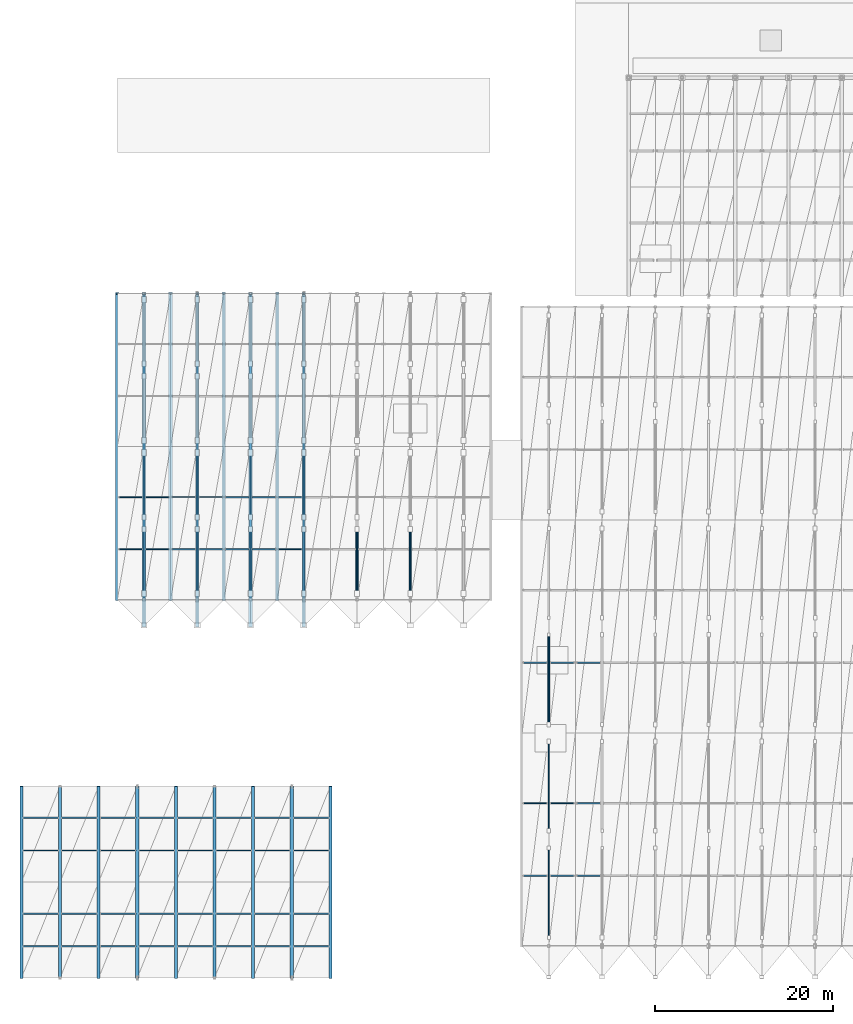
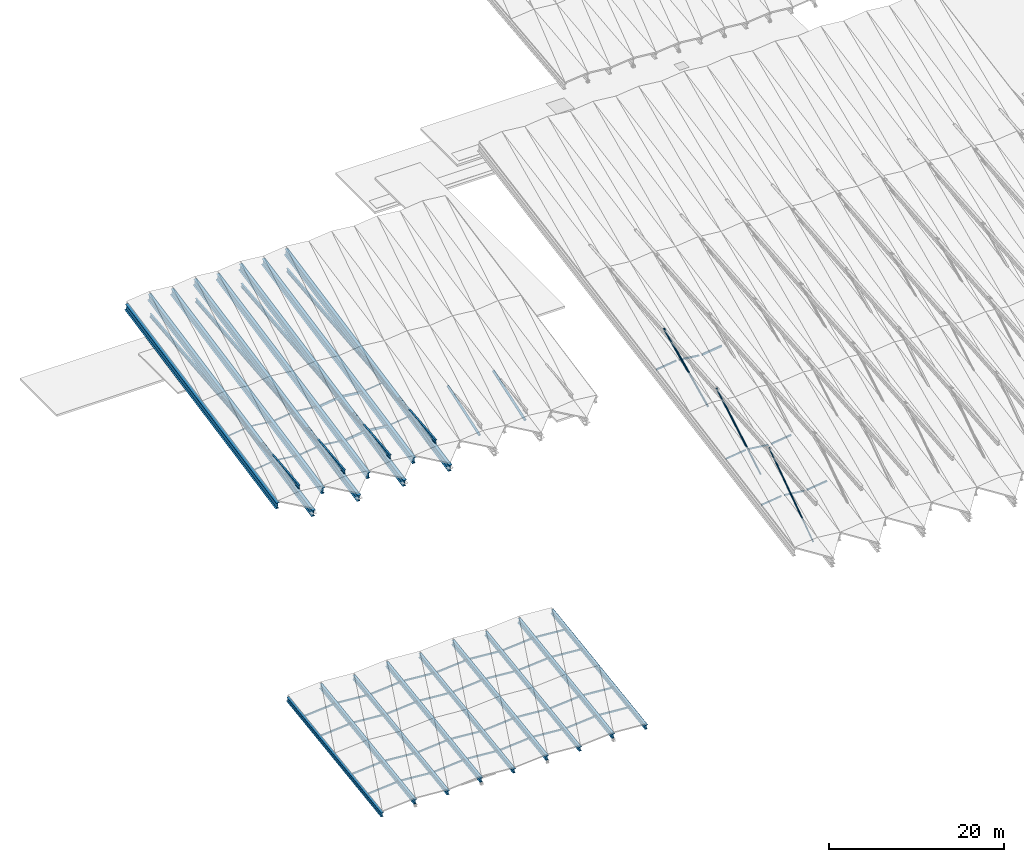
# One storey, part 3 of 52: 72 members, 17 beams.
"""IFC4 building model written with IfcOpenShell, lengths in metres."""

from ifc_helpers import new_model, si_unit, direction, frame, origin, origin_2d, place, context, subcontext, project, spatial, hollow_rectangle, hollow_circle, i_section, extrude, material, material_profile, profile_set, type_object, element, save


model = new_model("IFC4")

# Units and contexts
model_context = context("Model", 3, precision=1e-05, world=origin(), true_north=direction((0.0, 1.0)))
body_context = subcontext(model_context, "Body", "Model", "MODEL_VIEW")
ifc_project = project(units=[si_unit("LENGTHUNIT", "METRE"), si_unit("AREAUNIT", "SQUARE_METRE"), si_unit("VOLUMEUNIT", "CUBIC_METRE"), si_unit("PLANEANGLEUNIT", "RADIAN"), si_unit("MASSUNIT", "GRAM", prefix="KILO")], contexts=[model_context])

# Site, building, storey
site_placement = place(None, origin())
site = spatial("IfcSite", under=ifc_project, at=site_placement, CompositionType="ELEMENT")
building_placement = place(site_placement, origin())
building = spatial("IfcBuilding", under=site, at=building_placement, Name="Vaelkrest Opera House", CompositionType="ELEMENT")
storey_placement = place(building_placement, frame((0.0, 0.0, 41.39990234375)))
storey = spatial("IfcBuildingStorey", under=building, at=storey_placement, Name="ROOF", CompositionType="ELEMENT", Elevation=41.39990234375)

# Beams
ifc_material_1 = material(Name="Steel A992 Gr50", Category="steel")
ifc_material_profile_1 = material_profile(ifc_material_1, i_section(OverallWidth=0.327880859375, OverallDepth=0.6279296875, WebThickness=0.0166015625, FlangeThickness=0.027587890625, at=origin_2d()), Name="W24X146")
ifc_profile_set_1 = profile_set([ifc_material_profile_1], Name="Steel A992 Gr50")
beam_type_1 = type_object("IfcBeamType", Name="B09", PredefinedType="BEAM", material=ifc_profile_set_1)
for number, where, z_axis, x_axis, name in (
    (1, (-86.39990234375, -59.39990234375, -31.52587890625), (0.0, 0.989985492335, 0.141169136022), (-1.0, 0.0, 0.0), "Pleated roof valley rafter V5-00"),
    (2, (-77.699951171875, -59.39990234375, -31.52587890625), (0.0, 0.989985492335, 0.141169136022), (-1.0, 0.0, 0.0), "Pleated roof valley rafter V5-02"),
    (3, (-69.0, -59.39990234375, -31.52587890625), (0.0, 0.989985492335, 0.141169136022), (-1.0, 0.0, 0.0), "Pleated roof valley rafter V5-04"),
    (4, (-60.300048828125, -59.39990234375, -31.52587890625), (0.0, 0.989985492335, 0.141169136022), (-1.0, 0.0, 0.0), "Pleated roof valley rafter V5-06"),
    (5, (-51.60009765625, -59.39990234375, -31.52587890625), (0.0, 0.989985492335, 0.141169136022), (-1.0, 0.0, 0.0), "Pleated roof valley rafter V5-08"),
):
    element("IfcBeam", number, at=place(storey_placement, frame(where, z_axis=z_axis, x_axis=x_axis)), inside=storey, type_object=beam_type_1, Name=name, PredefinedType="BEAM", context=body_context, shape_type="SweptSolid", body=[
        extrude(i_section(OverallWidth=0.327880859375, OverallDepth=0.6279296875, WebThickness=0.0166015625, FlangeThickness=0.027587890625, at=origin_2d()), origin(), (0.0, 0.0, 1.0), 21.818359375),
    ])
ifc_material_profile_2 = material_profile(ifc_material_1, i_section(OverallWidth=0.35498046875, OverallDepth=0.695068359375, WebThickness=0.015380859375, FlangeThickness=0.02490234375, at=origin_2d()), Name="W27X146")
ifc_profile_set_2 = profile_set([ifc_material_profile_2], Name="Steel A992 Gr50")
beam_type_2 = type_object("IfcBeamType", Name="B10", PredefinedType="BEAM", material=ifc_profile_set_2)
for number, where, z_axis, x_axis, name in (
    (6, (-82.050048828125, -59.39990234375, -31.239990234375), (0.0, 0.989985492335, 0.141169136022), (-1.0, 0.0, 0.0), "Pleated roof ridge rafter V5-01"),
    (7, (-73.35009765625, -59.39990234375, -31.239990234375), (0.0, 0.989985492335, 0.141169136022), (-1.0, 0.0, 0.0), "Pleated roof ridge rafter V5-03"),
    (8, (-64.64990234375, -59.39990234375, -31.239990234375), (0.0, 0.989985492335, 0.141169136022), (-1.0, 0.0, 0.0), "Pleated roof ridge rafter V5-05"),
    (9, (-55.949951171875, -59.39990234375, -31.239990234375), (0.0, 0.989985492335, 0.141169136022), (-1.0, 0.0, 0.0), "Pleated roof ridge rafter V5-07"),
):
    element("IfcBeam", number, at=place(storey_placement, frame(where, z_axis=z_axis, x_axis=x_axis)), inside=storey, type_object=beam_type_2, Name=name, PredefinedType="BEAM", context=body_context, shape_type="SweptSolid", body=[
        extrude(i_section(OverallWidth=0.35498046875, OverallDepth=0.695068359375, WebThickness=0.015380859375, FlangeThickness=0.02490234375, at=origin_2d()), origin(), (0.0, 0.0, 1.0), 21.818359375),
    ])
ifc_material_profile_3 = material_profile(ifc_material_1, i_section(OverallWidth=0.41796875, OverallDepth=0.927001953125, WebThickness=0.019287109375, FlangeThickness=0.031982421875, at=origin_2d()), Name="W36X231")
ifc_profile_set_3 = profile_set([ifc_material_profile_3], Name="Steel A992 Gr50")
beam_type_3 = type_object("IfcBeamType", Name="B13", PredefinedType="BEAM", material=ifc_profile_set_3)
for number, where, z_axis, x_axis, name in (
    (10, (-75.60009765625, -16.800048828125, -18.114013671875), (0.0, 0.980710452507, 0.195466130936), (-1.0, 0.0, 0.0), "Pleated roof valley rafter V3-00"),
    (11, (-69.60009765625, -16.800048828125, -18.114013671875), (0.0, 0.980710452507, 0.195466130936), (-1.0, 0.0, 0.0), "Pleated roof valley rafter V3-02"),
    (12, (-63.60009765625, -16.800048828125, -18.114013671875), (0.0, 0.980710452507, 0.195466130936), (-1.0, 0.0, 0.0), "Pleated roof valley rafter V3-04"),
    (13, (-57.60009765625, -16.800048828125, -18.114013671875), (0.0, 0.980710452507, 0.195466130936), (-1.0, 0.0, 0.0), "Pleated roof valley rafter V3-06"),
):
    element("IfcBeam", number, at=place(storey_placement, frame(where, z_axis=z_axis, x_axis=x_axis)), inside=storey, type_object=beam_type_3, Name=name, PredefinedType="BEAM", context=body_context, shape_type="SweptSolid", body=[
        extrude(i_section(OverallWidth=0.41796875, OverallDepth=0.927001953125, WebThickness=0.019287109375, FlangeThickness=0.031982421875, at=origin_2d()), origin(), (0.0, 0.0, 1.0), 35.178466796875),
    ])
ifc_material_profile_4 = material_profile(ifc_material_1, i_section(OverallWidth=0.423095703125, OverallDepth=0.947998046875, WebThickness=0.02392578125, FlangeThickness=0.042724609375, at=origin_2d()), Name="W36X302")
ifc_profile_set_4 = profile_set([ifc_material_profile_4], Name="Steel A992 Gr50")
beam_type_4 = type_object("IfcBeamType", Name="B17", PredefinedType="BEAM", material=ifc_profile_set_4)
for number, where, z_axis, x_axis, name in (
    (14, (-72.60009765625, -19.800048828125, -18.39794921875), (0.0, 0.980710612152, 0.195465329951), (-1.0, 0.0, 0.0), "Pleated roof ridge rafter V3-01"),
    (15, (-66.60009765625, -19.800048828125, -18.39794921875), (0.0, 0.980710612152, 0.195465329951), (-1.0, 0.0, 0.0), "Pleated roof ridge rafter V3-03"),
    (16, (-60.60009765625, -19.800048828125, -18.39794921875), (0.0, 0.980710612152, 0.195465329951), (-1.0, 0.0, 0.0), "Pleated roof ridge rafter V3-05"),
    (17, (-54.60009765625, -19.800048828125, -18.39794921875), (0.0, 0.980710612152, 0.195465329951), (-1.0, 0.0, 0.0), "Pleated roof ridge rafter V3-07"),
):
    element("IfcBeam", number, at=place(storey_placement, frame(where, z_axis=z_axis, x_axis=x_axis)), inside=storey, type_object=beam_type_4, Name=name, PredefinedType="BEAM", context=body_context, shape_type="SweptSolid", body=[
        extrude(i_section(OverallWidth=0.423095703125, OverallDepth=0.947998046875, WebThickness=0.02392578125, FlangeThickness=0.042724609375, at=origin_2d()), origin(), (0.0, 0.0, 1.0), 38.237548828125),
    ])

# Members
ifc_material_2 = material(Name="Steel A500 GrC", Category="steel")
ifc_material_profile_5 = material_profile(ifc_material_2, hollow_circle(Radius=0.09521484375, WallThickness=0.009521484375, at=origin_2d()), Name="HSS190.5X9.5")
ifc_profile_set_5 = profile_set([ifc_material_profile_5], Name="Steel A500 GrC")
member_type_1 = type_object("IfcMemberType", Name="BR02", PredefinedType="BRACE", material=ifc_profile_set_5)
member_1_placement = place(storey_placement, frame((-27.0, -54.840087890625, -17.091796875), z_axis=(0.0, 0.820234906508, 0.572026833414), x_axis=(-1.0, 0.0, 0.0)))
element("IfcMember", 18, at=member_1_placement, inside=storey, type_object=member_type_1, Name="Pleated truss web brace V1-01-1", PredefinedType="BRACE", context=body_context, shape_type="SweptSolid", body=[
    extrude(hollow_circle(Radius=0.09521484375, WallThickness=0.009521484375, at=origin_2d()), origin(), (0.0, 0.0, 1.0), 12.289306640625),
])
ifc_material_profile_6 = material_profile(ifc_material_2, hollow_circle(Radius=0.109619140625, WallThickness=0.009521484375, at=origin_2d()), Name="HSS219.1X9.5")
ifc_profile_set_6 = profile_set([ifc_material_profile_6], Name="Steel A500 GrC")
member_type_2 = type_object("IfcMemberType", Name="BR03", PredefinedType="BRACE", material=ifc_profile_set_6)
member_2_placement = place(storey_placement, frame((-27.0, -42.840087890625, -14.94580078125), z_axis=(0.0, 0.863110928031, 0.505014381888), x_axis=(-1.0, 0.0, 0.0)))
element("IfcMember", 19, at=member_2_placement, inside=storey, type_object=member_type_2, Name="Pleated truss web brace V1-01-2", PredefinedType="BRACE", context=body_context, shape_type="SweptSolid", body=[
    extrude(hollow_circle(Radius=0.109619140625, WallThickness=0.009521484375, at=origin_2d()), origin(), (0.0, 0.0, 1.0), 11.6787109375),
])
ifc_material_profile_7 = material_profile(ifc_material_2, hollow_circle(Radius=0.122314453125, WallThickness=0.0126953125, at=origin_2d()), Name="HSS244.5X12.7")
ifc_profile_set_7 = profile_set([ifc_material_profile_7], Name="Steel A500 GrC")
member_type_3 = type_object("IfcMemberType", Name="BR04", PredefinedType="BRACE", material=ifc_profile_set_7)
member_3_placement = place(storey_placement, frame((-27.0, -30.840087890625, -12.7998046875), z_axis=(0.0, 0.904046576434, 0.427433957047), x_axis=(-1.0, 0.0, 0.0)))
element("IfcMember", 20, at=member_3_placement, inside=storey, type_object=member_type_3, Name="Pleated truss web brace V1-01-3", PredefinedType="BRACE", context=body_context, shape_type="SweptSolid", body=[
    extrude(hollow_circle(Radius=0.122314453125, WallThickness=0.0126953125, at=origin_2d()), origin(), (0.0, 0.0, 1.0), 11.14990234375),
])
ifc_material_profile_8 = material_profile(ifc_material_2, hollow_circle(Radius=0.136474609375, WallThickness=0.0126953125, at=origin_2d()), Name="HSS273.1X12.7")
ifc_profile_set_8 = profile_set([ifc_material_profile_8], Name="Steel A500 GrC")
member_type_4 = type_object("IfcMemberType", Name="BR05", PredefinedType="BRACE", material=ifc_profile_set_8)
for number, where, z_axis, x_axis, name in (
    (21, (-72.60009765625, -7.485107421875, -16.4169921875), (0.0, 0.976296082259, 0.216439275009), (-1.0, 0.0, 0.0), "Pleated truss web brace V3-01-2"),
    (22, (-66.60009765625, -7.485107421875, -16.4169921875), (0.0, 0.976296082259, 0.216439275009), (-1.0, 0.0, 0.0), "Pleated truss web brace V3-03-2"),
    (23, (-60.60009765625, -7.485107421875, -16.4169921875), (0.0, 0.976296082259, 0.216439275009), (-1.0, 0.0, 0.0), "Pleated truss web brace V3-05-2"),
    (24, (-54.60009765625, -7.485107421875, -16.4169921875), (0.0, 0.976296082259, 0.216439275009), (-1.0, 0.0, 0.0), "Pleated truss web brace V3-07-2"),
):
    element("IfcMember", number, at=place(storey_placement, frame(where, z_axis=z_axis, x_axis=x_axis)), inside=storey, type_object=member_type_4, Name=name, PredefinedType="BRACE", context=body_context, shape_type="SweptSolid", body=[
        extrude(hollow_circle(Radius=0.136474609375, WallThickness=0.0126953125, at=origin_2d()), origin(), (0.0, 0.0, 1.0), 7.421142578125),
    ])
ifc_material_profile_9 = material_profile(ifc_material_2, hollow_circle(Radius=0.161865234375, WallThickness=0.0126953125, at=origin_2d()), Name="HSS323.9X12.7")
ifc_profile_set_9 = profile_set([ifc_material_profile_9], Name="Steel A500 GrC")
member_type_5 = type_object("IfcMemberType", Name="BR06", PredefinedType="BRACE", material=ifc_profile_set_9)
for number, where, z_axis, x_axis, name in (
    (25, (-72.60009765625, -16.110107421875, -18.135986328125), (0.0, 0.945942313597, 0.324334918481), (-1.0, 0.0, 0.0), "Pleated truss web brace V3-01-1"),
    (26, (-66.60009765625, -16.110107421875, -18.135986328125), (0.0, 0.945942313597, 0.324334918481), (-1.0, 0.0, 0.0), "Pleated truss web brace V3-03-1"),
    (27, (-60.60009765625, -16.110107421875, -18.135986328125), (0.0, 0.945942313597, 0.324334918481), (-1.0, 0.0, 0.0), "Pleated truss web brace V3-05-1"),
    (28, (-54.60009765625, -16.110107421875, -18.135986328125), (0.0, 0.945942313597, 0.324334918481), (-1.0, 0.0, 0.0), "Pleated truss web brace V3-07-1"),
    (29, (-48.60009765625, -16.110107421875, -18.135986328125), (0.0, 0.945942313597, 0.324334918481), (-1.0, 0.0, 0.0), "Pleated truss web brace V3-09-1"),
    (30, (-42.60009765625, -16.110107421875, -18.135986328125), (0.0, 0.945942313597, 0.324334918481), (-1.0, 0.0, 0.0), "Pleated truss web brace V3-11-1"),
):
    element("IfcMember", number, at=place(storey_placement, frame(where, z_axis=z_axis, x_axis=x_axis)), inside=storey, type_object=member_type_5, Name=name, PredefinedType="BRACE", context=body_context, shape_type="SweptSolid", body=[
        extrude(hollow_circle(Radius=0.161865234375, WallThickness=0.0126953125, at=origin_2d()), origin(), (0.0, 0.0, 1.0), 7.6591796875),
    ])
ifc_material_profile_10 = material_profile(ifc_material_2, hollow_rectangle(XDim=0.10205078125, YDim=0.152099609375, WallThickness=0.0078125, at=origin_2d()), Name="HSS152X102X8")
ifc_profile_set_10 = profile_set([ifc_material_profile_10], Name="Steel A500 GrC")
member_type_6 = type_object("IfcMemberType", Name="PR01", PredefinedType="PURLIN", material=ifc_profile_set_10)
for number, where, z_axis, x_axis, name in (
    (31, (-75.419921875, -11.10791015625, -16.601806640625), (0.992553582992, 0.0, 0.121808804645), (0.0, 1.0, 0.0), "Folded roof purlin V3-01-S1-33W"),
    (32, (-72.419921875, -11.10791015625, -16.27783203125), (0.992553582992, 0.0, -0.121808804645), (0.0, 1.0, 0.0), "Folded roof purlin V3-01-S1-33E"),
    (33, (-75.419921875, -5.241943359375, -15.431884765625), (0.992553582992, 0.0, 0.121808804645), (0.0, 1.0, 0.0), "Folded roof purlin V3-01-S1-67W"),
    (34, (-72.419921875, -5.241943359375, -15.10791015625), (0.992553582992, 0.0, -0.121808804645), (0.0, 1.0, 0.0), "Folded roof purlin V3-01-S1-67E"),
    (35, (-57.419921875, -11.10791015625, -16.601806640625), (0.992553582992, 0.0, 0.121808804645), (0.0, 1.0, 0.0), "Folded roof purlin V3-04-S1-33W"),
    (36, (-57.419921875, -5.241943359375, -15.431884765625), (0.992553582992, 0.0, 0.121808804645), (0.0, 1.0, 0.0), "Folded roof purlin V3-04-S1-67W"),
):
    element("IfcMember", number, at=place(storey_placement, frame(where, z_axis=z_axis, x_axis=x_axis)), inside=storey, type_object=member_type_6, Name=name, PredefinedType="PURLIN", context=body_context, shape_type="SweptSolid", body=[
        extrude(hollow_rectangle(XDim=0.10205078125, YDim=0.152099609375, WallThickness=0.0078125, at=origin_2d()), origin(), (0.0, 0.0, 1.0), 2.65966796875),
    ])
ifc_material_profile_11 = material_profile(ifc_material_2, hollow_rectangle(XDim=0.126953125, YDim=0.177978515625, WallThickness=0.009521484375, at=origin_2d()), Name="HSS178X127X9.5")
ifc_profile_set_11 = profile_set([ifc_material_profile_11], Name="Steel A500 GrC")
member_type_7 = type_object("IfcMemberType", Name="PR02", PredefinedType="PURLIN", material=ifc_profile_set_11)
for number, where, z_axis, x_axis, name in (
    (37, (-69.419921875, -11.10791015625, -16.614990234375), (0.992553582992, 0.0, 0.121808804645), (0.0, 1.0, 0.0), "Folded roof purlin V3-02-S1-33W"),
    (38, (-66.419921875, -11.10791015625, -16.291015625), (0.992553582992, 0.0, -0.121808804645), (0.0, 1.0, 0.0), "Folded roof purlin V3-02-S1-33E"),
    (39, (-69.419921875, -5.241943359375, -15.44482421875), (0.992553582992, 0.0, 0.121808804645), (0.0, 1.0, 0.0), "Folded roof purlin V3-02-S1-67W"),
    (40, (-66.419921875, -5.241943359375, -15.120849609375), (0.992553582992, 0.0, -0.121808804645), (0.0, 1.0, 0.0), "Folded roof purlin V3-02-S1-67E"),
):
    element("IfcMember", number, at=place(storey_placement, frame(where, z_axis=z_axis, x_axis=x_axis)), inside=storey, type_object=member_type_7, Name=name, PredefinedType="PURLIN", context=body_context, shape_type="SweptSolid", body=[
        extrude(hollow_rectangle(XDim=0.126953125, YDim=0.177978515625, WallThickness=0.009521484375, at=origin_2d()), origin(), (0.0, 0.0, 1.0), 2.65966796875),
    ])
ifc_material_profile_12 = material_profile(ifc_material_2, hollow_rectangle(XDim=0.10205078125, YDim=0.202880859375, WallThickness=0.0078125, at=origin_2d()), Name="HSS203X102X8")
ifc_profile_set_12 = profile_set([ifc_material_profile_12], Name="Steel A500 GrC")
member_type_8 = type_object("IfcMemberType", Name="PR03", PredefinedType="PURLIN", material=ifc_profile_set_12)
for number, where, z_axis, x_axis, name in (
    (41, (-29.820068359375, -47.8798828125, -15.166015625), (0.992543844891, 0.0, 0.121888128908), (0.0, 1.0, 0.0), "Folded roof purlin V1-01-S1-33W"),
    (42, (-26.820068359375, -47.8798828125, -14.841796875), (0.992543844891, 0.0, -0.121888128908), (0.0, 1.0, 0.0), "Folded roof purlin V1-01-S1-33E"),
    (43, (-29.820068359375, -39.719970703125, -13.705810546875), (0.992554944769, 0.0, 0.121797707759), (0.0, 1.0, 0.0), "Folded roof purlin V1-01-S1-67W"),
    (44, (-26.820068359375, -39.719970703125, -13.3818359375), (0.992554944769, 0.0, -0.121797707759), (0.0, 1.0, 0.0), "Folded roof purlin V1-01-S1-67E"),
):
    element("IfcMember", number, at=place(storey_placement, frame(where, z_axis=z_axis, x_axis=x_axis)), inside=storey, type_object=member_type_8, Name=name, PredefinedType="PURLIN", context=body_context, shape_type="SweptSolid", body=[
        extrude(hollow_rectangle(XDim=0.10205078125, YDim=0.202880859375, WallThickness=0.0078125, at=origin_2d()), origin(), (0.0, 0.0, 1.0), 2.659912109375),
    ])
ifc_material_profile_13 = material_profile(ifc_material_2, hollow_rectangle(XDim=0.152099609375, YDim=0.202880859375, WallThickness=0.009521484375, at=origin_2d()), Name="HSS203X152X9.5")
ifc_profile_set_13 = profile_set([ifc_material_profile_13], Name="Steel A500 GrC")
member_type_9 = type_object("IfcMemberType", Name="PR04", PredefinedType="PURLIN", material=ifc_profile_set_13)
for number, where, z_axis, x_axis, name in (
    (45, (-29.820068359375, -23.8798828125, -10.8740234375), (0.992543844891, 0.0, 0.121888128908), (0.0, 1.0, 0.0), "Folded roof purlin V1-01-S2-33W"),
    (46, (-26.820068359375, -23.8798828125, -10.5498046875), (0.992543844891, 0.0, -0.121888128908), (0.0, 1.0, 0.0), "Folded roof purlin V1-01-S2-33E"),
    (47, (-23.820068359375, -47.8798828125, -15.166015625), (0.992543844891, 0.0, 0.121888128908), (0.0, 1.0, 0.0), "Folded roof purlin V1-02-S1-33W"),
    (48, (-23.820068359375, -39.719970703125, -13.705810546875), (0.992554944769, 0.0, 0.121797707759), (0.0, 1.0, 0.0), "Folded roof purlin V1-02-S1-67W"),
):
    element("IfcMember", number, at=place(storey_placement, frame(where, z_axis=z_axis, x_axis=x_axis)), inside=storey, type_object=member_type_9, Name=name, PredefinedType="PURLIN", context=body_context, shape_type="SweptSolid", body=[
        extrude(hollow_rectangle(XDim=0.152099609375, YDim=0.202880859375, WallThickness=0.009521484375, at=origin_2d()), origin(), (0.0, 0.0, 1.0), 2.659912109375),
    ])
member_4_placement = place(storey_placement, frame((-86.219970703125, -55.8359375, -30.81591796875), z_axis=(0.996797995031, 0.0, 0.079960972373), x_axis=(0.0, 1.0, 0.0)))
element("IfcMember", 49, at=member_4_placement, inside=storey, type_object=member_type_9, Name="Folded roof purlin V5-01-S1-33W", PredefinedType="PURLIN", context=body_context, shape_type="SweptSolid", body=[
    extrude(hollow_rectangle(XDim=0.152099609375, YDim=0.202880859375, WallThickness=0.009521484375, at=origin_2d()), origin(), (0.0, 0.0, 1.0), 4.002685546875),
])
member_5_placement = place(storey_placement, frame((-81.8701171875, -55.8359375, -30.495849609375), z_axis=(0.996798384965, 0.0, -0.079956111276), x_axis=(0.0, 1.0, 0.0)))
element("IfcMember", 50, at=member_5_placement, inside=storey, type_object=member_type_9, Name="Folded roof purlin V5-01-S1-33E", PredefinedType="PURLIN", context=body_context, shape_type="SweptSolid", body=[
    extrude(hollow_rectangle(XDim=0.152099609375, YDim=0.202880859375, WallThickness=0.009521484375, at=origin_2d()), origin(), (0.0, 0.0, 1.0), 4.0029296875),
])
member_6_placement = place(storey_placement, frame((-86.219970703125, -52.1640625, -30.2919921875), z_axis=(0.996797995031, 0.0, 0.079960972373), x_axis=(0.0, 1.0, 0.0)))
element("IfcMember", 51, at=member_6_placement, inside=storey, type_object=member_type_9, Name="Folded roof purlin V5-01-S1-67W", PredefinedType="PURLIN", context=body_context, shape_type="SweptSolid", body=[
    extrude(hollow_rectangle(XDim=0.152099609375, YDim=0.202880859375, WallThickness=0.009521484375, at=origin_2d()), origin(), (0.0, 0.0, 1.0), 4.002685546875),
])
member_7_placement = place(storey_placement, frame((-81.8701171875, -52.1640625, -29.971923828125), z_axis=(0.996798384965, 0.0, -0.079956111276), x_axis=(0.0, 1.0, 0.0)))
element("IfcMember", 52, at=member_7_placement, inside=storey, type_object=member_type_9, Name="Folded roof purlin V5-01-S1-67E", PredefinedType="PURLIN", context=body_context, shape_type="SweptSolid", body=[
    extrude(hollow_rectangle(XDim=0.152099609375, YDim=0.202880859375, WallThickness=0.009521484375, at=origin_2d()), origin(), (0.0, 0.0, 1.0), 4.0029296875),
])
member_8_placement = place(storey_placement, frame((-86.219970703125, -45.035888671875, -29.27587890625), z_axis=(0.996797995031, 0.0, 0.079960972373), x_axis=(0.0, 1.0, 0.0)))
element("IfcMember", 53, at=member_8_placement, inside=storey, type_object=member_type_9, Name="Folded roof purlin V5-01-S2-33W", PredefinedType="PURLIN", context=body_context, shape_type="SweptSolid", body=[
    extrude(hollow_rectangle(XDim=0.152099609375, YDim=0.202880859375, WallThickness=0.009521484375, at=origin_2d()), origin(), (0.0, 0.0, 1.0), 4.002685546875),
])
member_9_placement = place(storey_placement, frame((-81.8701171875, -45.035888671875, -28.955810546875), z_axis=(0.996798384965, 0.0, -0.079956111276), x_axis=(0.0, 1.0, 0.0)))
element("IfcMember", 54, at=member_9_placement, inside=storey, type_object=member_type_9, Name="Folded roof purlin V5-01-S2-33E", PredefinedType="PURLIN", context=body_context, shape_type="SweptSolid", body=[
    extrude(hollow_rectangle(XDim=0.152099609375, YDim=0.202880859375, WallThickness=0.009521484375, at=origin_2d()), origin(), (0.0, 0.0, 1.0), 4.0029296875),
])
member_10_placement = place(storey_placement, frame((-86.219970703125, -41.364013671875, -28.751953125), z_axis=(0.996797995031, 0.0, 0.079960972373), x_axis=(0.0, 1.0, 0.0)))
element("IfcMember", 55, at=member_10_placement, inside=storey, type_object=member_type_9, Name="Folded roof purlin V5-01-S2-67W", PredefinedType="PURLIN", context=body_context, shape_type="SweptSolid", body=[
    extrude(hollow_rectangle(XDim=0.152099609375, YDim=0.202880859375, WallThickness=0.009521484375, at=origin_2d()), origin(), (0.0, 0.0, 1.0), 4.002685546875),
])
member_11_placement = place(storey_placement, frame((-81.8701171875, -41.364013671875, -28.431884765625), z_axis=(0.996798384965, 0.0, -0.079956111276), x_axis=(0.0, 1.0, 0.0)))
element("IfcMember", 56, at=member_11_placement, inside=storey, type_object=member_type_9, Name="Folded roof purlin V5-01-S2-67E", PredefinedType="PURLIN", context=body_context, shape_type="SweptSolid", body=[
    extrude(hollow_rectangle(XDim=0.152099609375, YDim=0.202880859375, WallThickness=0.009521484375, at=origin_2d()), origin(), (0.0, 0.0, 1.0), 4.0029296875),
])
for number, where, z_axis, x_axis, name in (
    (57, (-77.52001953125, -55.8359375, -30.81591796875), (0.996797995031, 0.0, 0.079960972373), (0.0, 1.0, 0.0), "Folded roof purlin V5-02-S1-33W"),
    (58, (-73.169921875, -55.8359375, -30.495849609375), (0.996797995031, 0.0, -0.079960972373), (0.0, 1.0, 0.0), "Folded roof purlin V5-02-S1-33E"),
    (59, (-77.52001953125, -52.1640625, -30.2919921875), (0.996797995031, 0.0, 0.079960972373), (0.0, 1.0, 0.0), "Folded roof purlin V5-02-S1-67W"),
    (60, (-73.169921875, -52.1640625, -29.971923828125), (0.996797995031, 0.0, -0.079960972373), (0.0, 1.0, 0.0), "Folded roof purlin V5-02-S1-67E"),
    (61, (-77.52001953125, -45.035888671875, -29.27587890625), (0.996797995031, 0.0, 0.079960972373), (0.0, 1.0, 0.0), "Folded roof purlin V5-02-S2-33W"),
    (62, (-73.169921875, -45.035888671875, -28.955810546875), (0.996797995031, 0.0, -0.079960972373), (0.0, 1.0, 0.0), "Folded roof purlin V5-02-S2-33E"),
    (63, (-77.52001953125, -41.364013671875, -28.751953125), (0.996797995031, 0.0, 0.079960972373), (0.0, 1.0, 0.0), "Folded roof purlin V5-02-S2-67W"),
    (64, (-73.169921875, -41.364013671875, -28.431884765625), (0.996797995031, 0.0, -0.079960972373), (0.0, 1.0, 0.0), "Folded roof purlin V5-02-S2-67E"),
    (65, (-68.820068359375, -55.8359375, -30.81591796875), (0.996797995031, 0.0, 0.079960972373), (0.0, 1.0, 0.0), "Folded roof purlin V5-03-S1-33W"),
    (66, (-64.469970703125, -55.8359375, -30.495849609375), (0.996797995031, 0.0, -0.079960972373), (0.0, 1.0, 0.0), "Folded roof purlin V5-03-S1-33E"),
    (67, (-68.820068359375, -52.1640625, -30.2919921875), (0.996797995031, 0.0, 0.079960972373), (0.0, 1.0, 0.0), "Folded roof purlin V5-03-S1-67W"),
    (68, (-64.469970703125, -52.1640625, -29.971923828125), (0.996797995031, 0.0, -0.079960972373), (0.0, 1.0, 0.0), "Folded roof purlin V5-03-S1-67E"),
    (69, (-68.820068359375, -45.035888671875, -29.27587890625), (0.996797995031, 0.0, 0.079960972373), (0.0, 1.0, 0.0), "Folded roof purlin V5-03-S2-33W"),
    (70, (-64.469970703125, -45.035888671875, -28.955810546875), (0.996797995031, 0.0, -0.079960972373), (0.0, 1.0, 0.0), "Folded roof purlin V5-03-S2-33E"),
    (71, (-68.820068359375, -41.364013671875, -28.751953125), (0.996797995031, 0.0, 0.079960972373), (0.0, 1.0, 0.0), "Folded roof purlin V5-03-S2-67W"),
    (72, (-64.469970703125, -41.364013671875, -28.431884765625), (0.996797995031, 0.0, -0.079960972373), (0.0, 1.0, 0.0), "Folded roof purlin V5-03-S2-67E"),
):
    element("IfcMember", number, at=place(storey_placement, frame(where, z_axis=z_axis, x_axis=x_axis)), inside=storey, type_object=member_type_9, Name=name, PredefinedType="PURLIN", context=body_context, shape_type="SweptSolid", body=[
        extrude(hollow_rectangle(XDim=0.152099609375, YDim=0.202880859375, WallThickness=0.009521484375, at=origin_2d()), origin(), (0.0, 0.0, 1.0), 4.002685546875),
    ])
member_12_placement = place(storey_placement, frame((-60.1201171875, -55.8359375, -30.81591796875), z_axis=(0.996798384965, 0.0, 0.079956111276), x_axis=(0.0, 1.0, 0.0)))
element("IfcMember", 73, at=member_12_placement, inside=storey, type_object=member_type_9, Name="Folded roof purlin V5-04-S1-33W", PredefinedType="PURLIN", context=body_context, shape_type="SweptSolid", body=[
    extrude(hollow_rectangle(XDim=0.152099609375, YDim=0.202880859375, WallThickness=0.009521484375, at=origin_2d()), origin(), (0.0, 0.0, 1.0), 4.0029296875),
])
member_13_placement = place(storey_placement, frame((-55.77001953125, -55.8359375, -30.495849609375), z_axis=(0.996797995031, 0.0, -0.079960972373), x_axis=(0.0, 1.0, 0.0)))
element("IfcMember", 74, at=member_13_placement, inside=storey, type_object=member_type_9, Name="Folded roof purlin V5-04-S1-33E", PredefinedType="PURLIN", context=body_context, shape_type="SweptSolid", body=[
    extrude(hollow_rectangle(XDim=0.152099609375, YDim=0.202880859375, WallThickness=0.009521484375, at=origin_2d()), origin(), (0.0, 0.0, 1.0), 4.002685546875),
])
member_14_placement = place(storey_placement, frame((-60.1201171875, -52.1640625, -30.2919921875), z_axis=(0.996798384965, 0.0, 0.079956111276), x_axis=(0.0, 1.0, 0.0)))
element("IfcMember", 75, at=member_14_placement, inside=storey, type_object=member_type_9, Name="Folded roof purlin V5-04-S1-67W", PredefinedType="PURLIN", context=body_context, shape_type="SweptSolid", body=[
    extrude(hollow_rectangle(XDim=0.152099609375, YDim=0.202880859375, WallThickness=0.009521484375, at=origin_2d()), origin(), (0.0, 0.0, 1.0), 4.0029296875),
])
member_15_placement = place(storey_placement, frame((-55.77001953125, -52.1640625, -29.971923828125), z_axis=(0.996797995031, 0.0, -0.079960972373), x_axis=(0.0, 1.0, 0.0)))
element("IfcMember", 76, at=member_15_placement, inside=storey, type_object=member_type_9, Name="Folded roof purlin V5-04-S1-67E", PredefinedType="PURLIN", context=body_context, shape_type="SweptSolid", body=[
    extrude(hollow_rectangle(XDim=0.152099609375, YDim=0.202880859375, WallThickness=0.009521484375, at=origin_2d()), origin(), (0.0, 0.0, 1.0), 4.002685546875),
])
member_16_placement = place(storey_placement, frame((-60.1201171875, -45.035888671875, -29.27587890625), z_axis=(0.996798384965, 0.0, 0.079956111276), x_axis=(0.0, 1.0, 0.0)))
element("IfcMember", 77, at=member_16_placement, inside=storey, type_object=member_type_9, Name="Folded roof purlin V5-04-S2-33W", PredefinedType="PURLIN", context=body_context, shape_type="SweptSolid", body=[
    extrude(hollow_rectangle(XDim=0.152099609375, YDim=0.202880859375, WallThickness=0.009521484375, at=origin_2d()), origin(), (0.0, 0.0, 1.0), 4.0029296875),
])
member_17_placement = place(storey_placement, frame((-55.77001953125, -45.035888671875, -28.955810546875), z_axis=(0.996797995031, 0.0, -0.079960972373), x_axis=(0.0, 1.0, 0.0)))
element("IfcMember", 78, at=member_17_placement, inside=storey, type_object=member_type_9, Name="Folded roof purlin V5-04-S2-33E", PredefinedType="PURLIN", context=body_context, shape_type="SweptSolid", body=[
    extrude(hollow_rectangle(XDim=0.152099609375, YDim=0.202880859375, WallThickness=0.009521484375, at=origin_2d()), origin(), (0.0, 0.0, 1.0), 4.002685546875),
])
member_18_placement = place(storey_placement, frame((-60.1201171875, -41.364013671875, -28.751953125), z_axis=(0.996798384965, 0.0, 0.079956111276), x_axis=(0.0, 1.0, 0.0)))
element("IfcMember", 79, at=member_18_placement, inside=storey, type_object=member_type_9, Name="Folded roof purlin V5-04-S2-67W", PredefinedType="PURLIN", context=body_context, shape_type="SweptSolid", body=[
    extrude(hollow_rectangle(XDim=0.152099609375, YDim=0.202880859375, WallThickness=0.009521484375, at=origin_2d()), origin(), (0.0, 0.0, 1.0), 4.0029296875),
])
member_19_placement = place(storey_placement, frame((-55.77001953125, -41.364013671875, -28.431884765625), z_axis=(0.996797995031, 0.0, -0.079960972373), x_axis=(0.0, 1.0, 0.0)))
element("IfcMember", 80, at=member_19_placement, inside=storey, type_object=member_type_9, Name="Folded roof purlin V5-04-S2-67E", PredefinedType="PURLIN", context=body_context, shape_type="SweptSolid", body=[
    extrude(hollow_rectangle(XDim=0.152099609375, YDim=0.202880859375, WallThickness=0.009521484375, at=origin_2d()), origin(), (0.0, 0.0, 1.0), 4.002685546875),
])
ifc_material_profile_14 = material_profile(ifc_material_2, hollow_rectangle(XDim=0.152099609375, YDim=0.25390625, WallThickness=0.009521484375, at=origin_2d()), Name="HSS254X152X9.5")
ifc_profile_set_14 = profile_set([ifc_material_profile_14], Name="Steel A500 GrC")
member_type_10 = type_object("IfcMemberType", Name="PR05", PredefinedType="PURLIN", material=ifc_profile_set_14)
member_20_placement = place(storey_placement, frame((-23.820068359375, -23.8798828125, -10.89892578125), z_axis=(0.992554944769, 0.0, 0.121797707759), x_axis=(0.0, 1.0, 0.0)))
element("IfcMember", 81, at=member_20_placement, inside=storey, type_object=member_type_10, Name="Folded roof purlin V1-02-S2-33W", PredefinedType="PURLIN", context=body_context, shape_type="SweptSolid", body=[
    extrude(hollow_rectangle(XDim=0.152099609375, YDim=0.25390625, WallThickness=0.009521484375, at=origin_2d()), origin(), (0.0, 0.0, 1.0), 2.659912109375),
])
ifc_material_profile_15 = material_profile(ifc_material_2, hollow_rectangle(XDim=0.152099609375, YDim=0.304931640625, WallThickness=0.0126953125, at=origin_2d()), Name="HSS305X152X12.7")
ifc_profile_set_15 = profile_set([ifc_material_profile_15], Name="Steel A500 GrC")
member_type_11 = type_object("IfcMemberType", Name="PR06", PredefinedType="PURLIN", material=ifc_profile_set_15)
for number, where, z_axis, x_axis, name in (
    (82, (-63.419921875, -11.10791015625, -16.678955078125), (0.992553582992, 0.0, 0.121808804645), (0.0, 1.0, 0.0), "Folded roof purlin V3-03-S1-33W"),
    (83, (-60.419921875, -11.10791015625, -16.35498046875), (0.992553582992, 0.0, -0.121808804645), (0.0, 1.0, 0.0), "Folded roof purlin V3-03-S1-33E"),
    (84, (-63.419921875, -5.241943359375, -15.5087890625), (0.992553582992, 0.0, 0.121808804645), (0.0, 1.0, 0.0), "Folded roof purlin V3-03-S1-67W"),
    (85, (-60.419921875, -5.241943359375, -15.184814453125), (0.992553582992, 0.0, -0.121808804645), (0.0, 1.0, 0.0), "Folded roof purlin V3-03-S1-67E"),
):
    element("IfcMember", number, at=place(storey_placement, frame(where, z_axis=z_axis, x_axis=x_axis)), inside=storey, type_object=member_type_11, Name=name, PredefinedType="PURLIN", context=body_context, shape_type="SweptSolid", body=[
        extrude(hollow_rectangle(XDim=0.152099609375, YDim=0.304931640625, WallThickness=0.0126953125, at=origin_2d()), origin(), (0.0, 0.0, 1.0), 2.65966796875),
    ])
ifc_material_profile_16 = material_profile(ifc_material_1, i_section(OverallWidth=0.214111328125, OverallDepth=0.549072265625, WebThickness=0.0146484375, FlangeThickness=0.023681640625, at=origin_2d()), Name="W21X93")
ifc_profile_set_16 = profile_set([ifc_material_profile_16], Name="Steel A992 Gr50")
member_type_12 = type_object("IfcMemberType", Name="TC02", PredefinedType="CHORD", material=ifc_profile_set_16)
for number, where, z_axis, x_axis, name in (
    (86, (-72.60009765625, -16.550048828125, -16.699951171875), (0.0, 0.995143728949, 0.098432508518), (-1.0, 0.0, 0.0), "Pleated truss bottom chord V3-01"),
    (87, (-66.60009765625, -16.550048828125, -16.699951171875), (0.0, 0.995143728949, 0.098432508518), (-1.0, 0.0, 0.0), "Pleated truss bottom chord V3-03"),
    (88, (-60.60009765625, -16.550048828125, -16.699951171875), (0.0, 0.995143728949, 0.098432508518), (-1.0, 0.0, 0.0), "Pleated truss bottom chord V3-05"),
    (89, (-54.60009765625, -16.550048828125, -16.699951171875), (0.0, 0.995143728949, 0.098432508518), (-1.0, 0.0, 0.0), "Pleated truss bottom chord V3-07"),
):
    element("IfcMember", number, at=place(storey_placement, frame(where, z_axis=z_axis, x_axis=x_axis)), inside=storey, type_object=member_type_12, Name=name, PredefinedType="CHORD", context=body_context, shape_type="SweptSolid", body=[
        extrude(i_section(OverallWidth=0.214111328125, OverallDepth=0.549072265625, WebThickness=0.0146484375, FlangeThickness=0.023681640625, at=origin_2d()), origin(), (0.0, 0.0, 1.0), 34.166015625),
    ])

save(model, "model.ifc")
